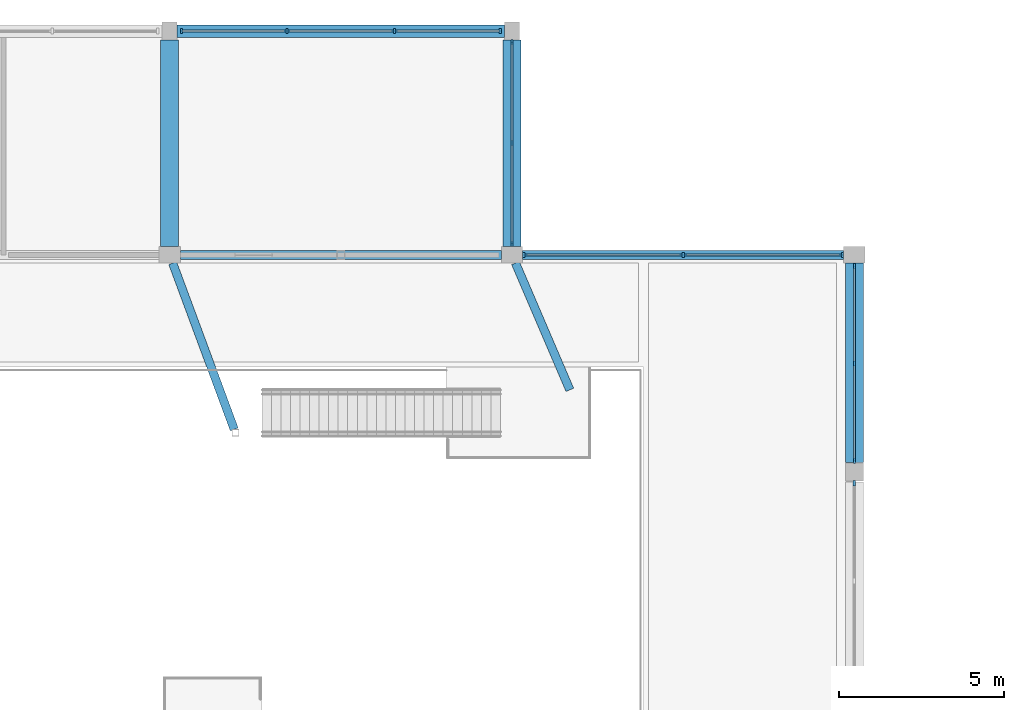
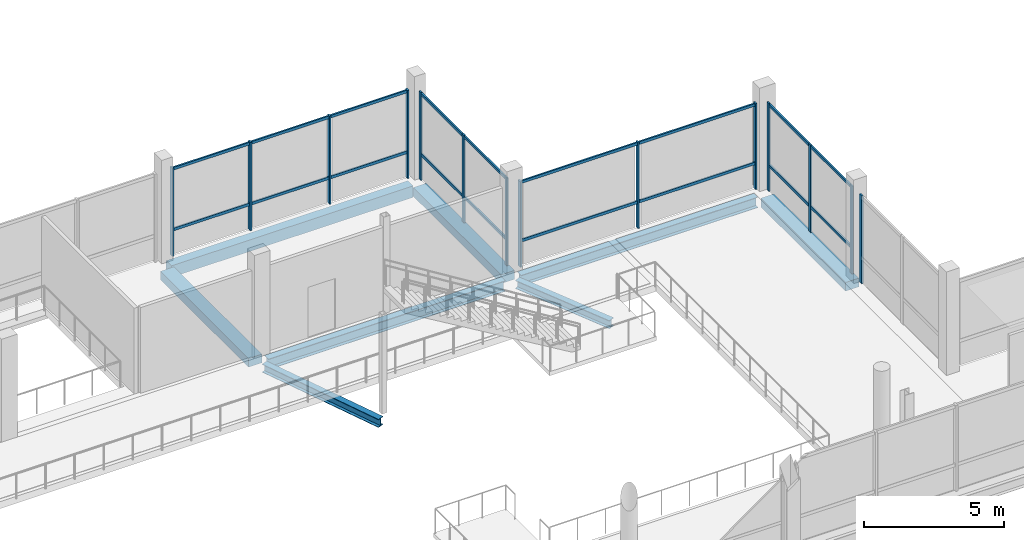
# One storey, part 31 of 95: 22 members, 8 beams, 5 elements without a shape of their own.
"""IFC4 building model written with IfcOpenShell, lengths in metres."""

from ifc_helpers import new_model, si_unit, derived_unit, direction, frame, origin, origin_2d, place, context, subcontext, project, spatial, rectangle, i_section, extrude, material, material_profile, profile_set, type_object, element, aggregate, save


model = new_model("IFC4")

# Units and contexts
model_context = context("Model", 3, precision=1e-05, world=origin(), true_north=direction((0.0, 1.0)))
body_context = subcontext(model_context, "Body", "Model", "MODEL_VIEW")
ifc_project = project(units=[si_unit("LENGTHUNIT", "METRE"), si_unit("AREAUNIT", "SQUARE_METRE"), si_unit("VOLUMEUNIT", "CUBIC_METRE"), si_unit("PLANEANGLEUNIT", "RADIAN"), si_unit("MASSUNIT", "GRAM", prefix="KILO"), derived_unit("THERMALTRANSMITTANCEUNIT", [(si_unit("POWERUNIT", "WATT"), 1), (si_unit("LENGTHUNIT", "METRE"), -2), (si_unit("THERMODYNAMICTEMPERATUREUNIT", "KELVIN"), -1)])], contexts=[model_context])

# Site, building, storey
site_placement = place(None, origin())
site = spatial("IfcSite", under=ifc_project, at=site_placement, CompositionType="ELEMENT")
building_placement = place(site_placement, origin())
building = spatial("IfcBuilding", under=site, at=building_placement, Name="Braskholm Square Health Centre", CompositionType="ELEMENT")
storey_placement = place(building_placement, frame((0.0, 0.0, 4.800048828125)))
storey = spatial("IfcBuildingStorey", under=building, at=storey_placement, Name="L02", CompositionType="ELEMENT", Elevation=4.800048828125)

# Curtain wall, members
ifc_material_1 = material(Name="Low-E triple insulating glass (VLT 0.64)", Category="glass")
curtain_wall_type = type_object("IfcCurtainWallType", Name="UnitisedCurtainWall6200x3800", PredefinedType="NOTDEFINED", material=ifc_material_1)
curtain_wall_1_placement = place(storey_placement, origin())
curtain_wall_1 = element("IfcCurtainWall", 1, at=curtain_wall_1_placement, inside=storey, type_object=curtain_wall_type, Name="Hall North unitised curtain wall CW-L02-0216", PredefinedType="NOTDEFINED")
ifc_material_2 = material(Name="Architectural bronze anodised aluminium", Category="aluminium")
ifc_material_profile_1 = material_profile(ifc_material_2, rectangle(XDim=0.06494140625, YDim=0.14990234375, at=origin_2d()), Name="ALU-65X150")
ifc_profile_set_1 = profile_set([ifc_material_profile_1], Name="Architectural bronze anodised aluminium")
member_type_1 = type_object("IfcMemberType", Name="CurtainWallMullion65x150", PredefinedType="MULLION", material=ifc_profile_set_1)
member_1_placement = place(storey_placement, frame((120.041259765625, 107.0, 0.0), z_axis=(0.0, 0.0, 1.0), x_axis=(1.0, 0.0, 0.0)))
member_1 = element("IfcMember", 2, at=member_1_placement, type_object=member_type_1, Name="CW-L02-0216 vertical mullion 1", PredefinedType="MULLION", context=body_context, shape_type="SweptSolid", body=[
    extrude(rectangle(XDim=0.06494140625, YDim=0.14990234375, at=origin_2d()), origin(), (0.0, 0.0, 1.0), 3.737060546875),
])
member_2_placement = place(storey_placement, frame((115.199951171875, 107.0, 0.0), z_axis=(0.0, 0.0, 1.0), x_axis=(1.0, 0.0, 0.0)))
member_2 = element("IfcMember", 3, at=member_2_placement, type_object=member_type_1, Name="CW-L02-0216 vertical mullion 2", PredefinedType="MULLION", context=body_context, shape_type="SweptSolid", body=[
    extrude(rectangle(XDim=0.06494140625, YDim=0.14990234375, at=origin_2d()), origin(), (0.0, 0.0, 1.0), 3.737060546875),
])
member_3_placement = place(storey_placement, frame((110.35888671875, 107.0, 0.0), z_axis=(0.0, 0.0, 1.0), x_axis=(1.0, 0.0, 0.0)))
member_3 = element("IfcMember", 4, at=member_3_placement, type_object=member_type_1, Name="CW-L02-0216 vertical mullion 3", PredefinedType="MULLION", context=body_context, shape_type="SweptSolid", body=[
    extrude(rectangle(XDim=0.06494140625, YDim=0.14990234375, at=origin_2d()), origin(), (0.0, 0.0, 1.0), 3.737060546875),
])

curtain_wall_2_placement = place(storey_placement, origin())
curtain_wall_2 = element("IfcCurtainWall", 5, at=curtain_wall_2_placement, inside=storey, type_object=curtain_wall_type, Name="Hall Cheek L02 unitised curtain wall CW-L02-0224", PredefinedType="NOTDEFINED")
member_4_placement = place(storey_placement, frame((120.39990234375, 100.736083984375, 0.0), z_axis=(0.0, 0.0, 1.0), x_axis=(1.0, 0.0, 0.0)))
member_4 = element("IfcMember", 6, at=member_4_placement, type_object=member_type_1, Name="CW-L02-0224 vertical mullion 1", PredefinedType="MULLION", context=body_context, shape_type="SweptSolid", body=[
    extrude(rectangle(XDim=0.06494140625, YDim=0.14990234375, at=origin_2d()), origin(), (0.0, 0.0, 1.0), 3.820068359375),
])
member_5_placement = place(storey_placement, frame((120.39990234375, 103.699951171875, 0.0), z_axis=(0.0, 0.0, 1.0), x_axis=(1.0, 0.0, 0.0)))
member_5 = element("IfcMember", 7, at=member_5_placement, type_object=member_type_1, Name="CW-L02-0224 vertical mullion 2", PredefinedType="MULLION", context=body_context, shape_type="SweptSolid", body=[
    extrude(rectangle(XDim=0.06494140625, YDim=0.14990234375, at=origin_2d()), origin(), (0.0, 0.0, 1.0), 3.820068359375),
])
member_6_placement = place(storey_placement, frame((120.39990234375, 106.6640625, 0.0), z_axis=(0.0, 0.0, 1.0), x_axis=(1.0, 0.0, 0.0)))
member_6 = element("IfcMember", 8, at=member_6_placement, type_object=member_type_1, Name="CW-L02-0224 vertical mullion 3", PredefinedType="MULLION", context=body_context, shape_type="SweptSolid", body=[
    extrude(rectangle(XDim=0.06494140625, YDim=0.14990234375, at=origin_2d()), origin(), (0.0, 0.0, 1.0), 3.820068359375),
])

curtain_wall_3_placement = place(storey_placement, origin())
curtain_wall_3 = element("IfcCurtainWall", 9, at=curtain_wall_3_placement, inside=storey, type_object=curtain_wall_type, Name="Hydrotherapy North unitised curtain wall CW-L02-0246", PredefinedType="NOTDEFINED")
member_7_placement = place(storey_placement, frame((109.64111328125, 113.800048828125, 0.0), z_axis=(0.0, 0.0, 1.0), x_axis=(1.0, 0.0, 0.0)))
member_7 = element("IfcMember", 10, at=member_7_placement, type_object=member_type_1, Name="CW-L02-0246 vertical mullion 1", PredefinedType="MULLION", context=body_context, shape_type="SweptSolid", body=[
    extrude(rectangle(XDim=0.06494140625, YDim=0.14990234375, at=origin_2d()), origin(), (0.0, 0.0, 1.0), 3.8369140625),
])
member_8_placement = place(storey_placement, frame((106.433349609375, 113.800048828125, 0.0), z_axis=(0.0, 0.0, 1.0), x_axis=(1.0, 0.0, 0.0)))
member_8 = element("IfcMember", 11, at=member_8_placement, type_object=member_type_1, Name="CW-L02-0246 vertical mullion 2", PredefinedType="MULLION", context=body_context, shape_type="SweptSolid", body=[
    extrude(rectangle(XDim=0.06494140625, YDim=0.14990234375, at=origin_2d()), origin(), (0.0, 0.0, 1.0), 3.8369140625),
])
member_9_placement = place(storey_placement, frame((103.166748046875, 113.800048828125, 0.0), z_axis=(0.0, 0.0, 1.0), x_axis=(1.0, 0.0, 0.0)))
member_9 = element("IfcMember", 12, at=member_9_placement, type_object=member_type_1, Name="CW-L02-0246 vertical mullion 3", PredefinedType="MULLION", context=body_context, shape_type="SweptSolid", body=[
    extrude(rectangle(XDim=0.06494140625, YDim=0.14990234375, at=origin_2d()), origin(), (0.0, 0.0, 1.0), 3.8369140625),
])
member_10_placement = place(storey_placement, frame((99.958740234375, 113.800048828125, 0.0), z_axis=(0.0, 0.0, 1.0), x_axis=(1.0, 0.0, 0.0)))
member_10 = element("IfcMember", 13, at=member_10_placement, type_object=member_type_1, Name="CW-L02-0246 vertical mullion 4", PredefinedType="MULLION", context=body_context, shape_type="SweptSolid", body=[
    extrude(rectangle(XDim=0.06494140625, YDim=0.14990234375, at=origin_2d()), origin(), (0.0, 0.0, 1.0), 3.8369140625),
])

curtain_wall_4_placement = place(storey_placement, origin())
curtain_wall_4 = element("IfcCurtainWall", 14, at=curtain_wall_4_placement, inside=storey, type_object=curtain_wall_type, Name="Hydrotherapy East unitised curtain wall CW-L02-0248", PredefinedType="NOTDEFINED")
member_11_placement = place(storey_placement, frame((110.0, 107.337158203125, 0.0), z_axis=(0.0, 0.0, 1.0), x_axis=(1.0, 0.0, 0.0)))
member_11 = element("IfcMember", 15, at=member_11_placement, type_object=member_type_1, Name="CW-L02-0248 vertical mullion 1", PredefinedType="MULLION", context=body_context, shape_type="SweptSolid", body=[
    extrude(rectangle(XDim=0.06494140625, YDim=0.14990234375, at=origin_2d()), origin(), (0.0, 0.0, 1.0), 3.820068359375),
])
member_12_placement = place(storey_placement, frame((110.0, 110.39990234375, 0.0), z_axis=(0.0, 0.0, 1.0), x_axis=(1.0, 0.0, 0.0)))
member_12 = element("IfcMember", 16, at=member_12_placement, type_object=member_type_1, Name="CW-L02-0248 vertical mullion 2", PredefinedType="MULLION", context=body_context, shape_type="SweptSolid", body=[
    extrude(rectangle(XDim=0.06494140625, YDim=0.14990234375, at=origin_2d()), origin(), (0.0, 0.0, 1.0), 3.820068359375),
])
member_13_placement = place(storey_placement, frame((110.0, 113.462890625, 0.0), z_axis=(0.0, 0.0, 1.0), x_axis=(1.0, 0.0, 0.0)))
member_13 = element("IfcMember", 17, at=member_13_placement, type_object=member_type_1, Name="CW-L02-0248 vertical mullion 3", PredefinedType="MULLION", context=body_context, shape_type="SweptSolid", body=[
    extrude(rectangle(XDim=0.06494140625, YDim=0.14990234375, at=origin_2d()), origin(), (0.0, 0.0, 1.0), 3.820068359375),
])

# Curtain wall, member
curtain_wall_5_placement = place(storey_placement, origin())
curtain_wall_5 = element("IfcCurtainWall", 18, at=curtain_wall_5_placement, inside=storey, type_object=curtain_wall_type, Name="Hall Cheek L02 unitised curtain wall CW-L02-0223", PredefinedType="NOTDEFINED")
ifc_material_profile_2 = material_profile(ifc_material_2, rectangle(XDim=0.074951171875, YDim=0.179931640625, at=origin_2d()), Name="ALU-75X180")
ifc_profile_set_2 = profile_set([ifc_material_profile_2], Name="Architectural bronze anodised aluminium")
member_type_2 = type_object("IfcMemberType", Name="CurtainWallMullion75x180", PredefinedType="MULLION", material=ifc_profile_set_2)
member_14_placement = place(storey_placement, frame((120.39990234375, 100.06396484375, 0.0), z_axis=(0.0, 0.0, 1.0), x_axis=(1.0, 0.0, 0.0)))
member_14 = element("IfcMember", 19, at=member_14_placement, type_object=member_type_2, Name="CW-L02-0223 vertical mullion 3", PredefinedType="MULLION", context=body_context, shape_type="SweptSolid", body=[
    extrude(rectangle(XDim=0.074951171875, YDim=0.179931640625, at=origin_2d()), origin(), (0.0, 0.0, 1.0), 3.820068359375),
])
aggregate(curtain_wall_5, [member_14])

# Member
ifc_material_profile_3 = material_profile(ifc_material_2, rectangle(XDim=0.06494140625, YDim=0.1201171875, at=origin_2d()), Name="ALU-65X120")
ifc_profile_set_3 = profile_set([ifc_material_profile_3], Name="Architectural bronze anodised aluminium")
member_type_3 = type_object("IfcMemberType", Name="CurtainWallTransom65x120", PredefinedType="USERDEFINED", material=ifc_profile_set_3)
member_15_placement = place(storey_placement, frame((120.054931640625, 107.0, 1.119873046875), z_axis=(-1.0, 0.0, 0.0), x_axis=(0.0, -1.0, 0.0)))
member_15 = element("IfcMember", 20, at=member_15_placement, type_object=member_type_3, Name="CW-L02-0216 horizontal transom 1", ObjectType="TRANSOM", PredefinedType="USERDEFINED", context=body_context, shape_type="SweptSolid", body=[
    extrude(rectangle(XDim=0.06494140625, YDim=0.1201171875, at=origin_2d()), origin(), (0.0, 0.0, 1.0), 9.7099609375),
])

member_16_placement = place(storey_placement, frame((120.054931640625, 107.0, 3.6669921875), z_axis=(-1.0, 0.0, 0.0), x_axis=(0.0, -1.0, 0.0)))
member_16 = element("IfcMember", 21, at=member_16_placement, type_object=member_type_3, Name="CW-L02-0216 horizontal transom 2", ObjectType="TRANSOM", PredefinedType="USERDEFINED", context=body_context, shape_type="SweptSolid", body=[
    extrude(rectangle(XDim=0.06494140625, YDim=0.1201171875, at=origin_2d()), origin(), (0.0, 0.0, 1.0), 9.7099609375),
])

aggregate(curtain_wall_1, [member_1, member_2, member_3, member_15, member_16])

member_17_placement = place(storey_placement, frame((120.39990234375, 100.7451171875, 1.119873046875), z_axis=(0.0, 1.0, 0.0), x_axis=(-1.0, 0.0, 0.0)))
member_17 = element("IfcMember", 22, at=member_17_placement, type_object=member_type_3, Name="CW-L02-0224 horizontal transom 1", ObjectType="TRANSOM", PredefinedType="USERDEFINED", context=body_context, shape_type="SweptSolid", body=[
    extrude(rectangle(XDim=0.06494140625, YDim=0.1201171875, at=origin_2d()), origin(), (0.0, 0.0, 1.0), 5.909912109375),
])

member_18_placement = place(storey_placement, frame((120.39990234375, 100.7451171875, 3.75), z_axis=(0.0, 1.0, 0.0), x_axis=(-1.0, 0.0, 0.0)))
member_18 = element("IfcMember", 23, at=member_18_placement, type_object=member_type_3, Name="CW-L02-0224 horizontal transom 2", ObjectType="TRANSOM", PredefinedType="USERDEFINED", context=body_context, shape_type="SweptSolid", body=[
    extrude(rectangle(XDim=0.06494140625, YDim=0.1201171875, at=origin_2d()), origin(), (0.0, 0.0, 1.0), 5.909912109375),
])

aggregate(curtain_wall_2, [member_4, member_5, member_6, member_17, member_18])

member_19_placement = place(storey_placement, frame((109.655029296875, 113.800048828125, 1.119873046875), z_axis=(-1.0, 0.0, 0.0), x_axis=(0.0, -1.0, 0.0)))
member_19 = element("IfcMember", 24, at=member_19_placement, type_object=member_type_3, Name="CW-L02-0246 horizontal transom 1", ObjectType="TRANSOM", PredefinedType="USERDEFINED", context=body_context, shape_type="SweptSolid", body=[
    extrude(rectangle(XDim=0.06494140625, YDim=0.1201171875, at=origin_2d()), origin(), (0.0, 0.0, 1.0), 9.7099609375),
])

member_20_placement = place(storey_placement, frame((109.655029296875, 113.800048828125, 3.766845703125), z_axis=(-1.0, 0.0, 0.0), x_axis=(0.0, -1.0, 0.0)))
member_20 = element("IfcMember", 25, at=member_20_placement, type_object=member_type_3, Name="CW-L02-0246 horizontal transom 2", ObjectType="TRANSOM", PredefinedType="USERDEFINED", context=body_context, shape_type="SweptSolid", body=[
    extrude(rectangle(XDim=0.06494140625, YDim=0.1201171875, at=origin_2d()), origin(), (0.0, 0.0, 1.0), 9.7099609375),
])

aggregate(curtain_wall_3, [member_7, member_8, member_9, member_10, member_19, member_20])

member_21_placement = place(storey_placement, frame((110.0, 107.344970703125, 1.119873046875), z_axis=(0.0, 1.0, 0.0), x_axis=(-1.0, 0.0, 0.0)))
member_21 = element("IfcMember", 26, at=member_21_placement, type_object=member_type_3, Name="CW-L02-0248 horizontal transom 1", ObjectType="TRANSOM", PredefinedType="USERDEFINED", context=body_context, shape_type="SweptSolid", body=[
    extrude(rectangle(XDim=0.06494140625, YDim=0.1201171875, at=origin_2d()), origin(), (0.0, 0.0, 1.0), 6.110107421875),
])

member_22_placement = place(storey_placement, frame((110.0, 107.344970703125, 3.75), z_axis=(0.0, 1.0, 0.0), x_axis=(-1.0, 0.0, 0.0)))
member_22 = element("IfcMember", 27, at=member_22_placement, type_object=member_type_3, Name="CW-L02-0248 horizontal transom 2", ObjectType="TRANSOM", PredefinedType="USERDEFINED", context=body_context, shape_type="SweptSolid", body=[
    extrude(rectangle(XDim=0.06494140625, YDim=0.1201171875, at=origin_2d()), origin(), (0.0, 0.0, 1.0), 6.110107421875),
])

aggregate(curtain_wall_4, [member_11, member_12, member_13, member_21, member_22])

# Beams
ifc_material_3 = material(Name="Concrete C35/45 (f'c = 35 MPa)", Category="concrete")
ifc_material_profile_4 = material_profile(ifc_material_3, rectangle(XDim=0.550048828125, YDim=0.3798828125, at=origin_2d()), Name="RCB-550X380")
ifc_profile_set_4 = profile_set([ifc_material_profile_4], Name="Concrete C35/45 (f'c = 35 MPa)")
beam_type_1 = type_object("IfcBeamType", Name="PrimaryBandBeam550x380", PredefinedType="BEAM", material=ifc_profile_set_4)
for number, where, z_axis, x_axis, name in (
    (28, (99.60009765625, 107.25, -0.489990234375), (0.0, 1.0, 0.0), (-1.0, 0.0, 0.0), "Beam 13/R-S L02"),
    (29, (110.0, 107.25, -0.489990234375), (0.0, 1.0, 0.0), (-1.0, 0.0, 0.0), "Beam 14/R-S L02"),
):
    element("IfcBeam", number, at=place(storey_placement, frame(where, z_axis=z_axis, x_axis=x_axis)), inside=storey, type_object=beam_type_1, Name=name, PredefinedType="BEAM", context=body_context, shape_type="SweptSolid", body=[
        extrude(rectangle(XDim=0.550048828125, YDim=0.3798828125, at=origin_2d()), origin(), (0.0, 0.0, 1.0), 6.27001953125),
    ])
beam_1_placement = place(storey_placement, frame((120.39990234375, 100.699951171875, -0.489990234375), z_axis=(0.0, 1.0, 0.0), x_axis=(-1.0, 0.0, 0.0)))
element("IfcBeam", 30, at=beam_1_placement, inside=storey, type_object=beam_type_1, Name="Beam 15/Q-R L02", PredefinedType="BEAM", context=body_context, shape_type="SweptSolid", body=[
    extrude(rectangle(XDim=0.550048828125, YDim=0.3798828125, at=origin_2d()), origin(), (0.0, 0.0, 1.0), 6.050048828125),
])
ifc_material_4 = material(Name="Precast concrete C40/50 architectural white", Category="concrete")
ifc_material_profile_5 = material_profile(ifc_material_4, rectangle(XDim=0.3798828125, YDim=0.5, at=origin_2d()), Name="RCB-380X500")
ifc_profile_set_5 = profile_set([ifc_material_profile_5], Name="Precast concrete C40/50 architectural white")
beam_type_2 = type_object("IfcBeamType", Name="SpandrelPrecastEdge380x500", PredefinedType="SPANDREL", material=ifc_profile_set_5)
beam_2_placement = place(storey_placement, frame((99.830078125, 113.800048828125, -0.550048828125), z_axis=(1.0, 0.0, 0.0), x_axis=(0.0, 1.0, 0.0)))
element("IfcBeam", 31, at=beam_2_placement, inside=storey, type_object=beam_type_2, Name="Beam 13-14/S L02", PredefinedType="SPANDREL", context=body_context, shape_type="SweptSolid", body=[
    extrude(rectangle(XDim=0.3798828125, YDim=0.5, at=origin_2d()), origin(), (0.0, 0.0, 1.0), 9.93994140625),
])
ifc_material_5 = material(Name="Steel ASTM A992 Grade 50", Category="steel")
ifc_material_profile_6 = material_profile(ifc_material_5, i_section(OverallWidth=0.2548828125, OverallDepth=0.35693359375, WebThickness=0.010498046875, FlangeThickness=0.018310546875, at=origin_2d()), Name="W14X68")
ifc_profile_set_6 = profile_set([ifc_material_profile_6], Name="Steel ASTM A992 Grade 50")
beam_type_3 = type_object("IfcBeamType", Name="SteelBeamCanopyW14X68", PredefinedType="BEAM", material=ifc_profile_set_6)
beam_3_placement = place(storey_placement, frame((111.757080078125, 102.89990234375, -0.478515625), z_axis=(-0.393891173212, 0.919157083237, 0.0), x_axis=(-0.919157083237, -0.393891173212, 0.0)))
element("IfcBeam", 32, at=beam_3_placement, inside=storey, type_object=beam_type_3, Name="Tie beam CS3H L02", PredefinedType="BEAM", context=body_context, shape_type="SweptSolid", body=[
    extrude(i_section(OverallWidth=0.2548828125, OverallDepth=0.35693359375, WebThickness=0.010498046875, FlangeThickness=0.018310546875, at=origin_2d()), origin(), (0.0, 0.0, 1.0), 4.190673828125),
])
beam_4_placement = place(storey_placement, frame((101.56298828125, 101.69970703125, -0.478515625), z_axis=(-0.347296645068, 0.937755320073, 0.0), x_axis=(-0.937755320073, -0.347296645068, 0.0)))
element("IfcBeam", 33, at=beam_4_placement, inside=storey, type_object=beam_type_3, Name="Tie beam CS3K L02", PredefinedType="BEAM", context=body_context, shape_type="SweptSolid", body=[
    extrude(i_section(OverallWidth=0.2548828125, OverallDepth=0.35693359375, WebThickness=0.010498046875, FlangeThickness=0.018310546875, at=origin_2d()), origin(), (0.0, 0.0, 1.0), 5.3876953125),
])
ifc_material_profile_7 = material_profile(ifc_material_5, i_section(OverallWidth=0.280029296875, OverallDepth=0.462890625, WebThickness=0.0107421875, FlangeThickness=0.017333984375, at=origin_2d()), Name="W18X76")
ifc_profile_set_7 = profile_set([ifc_material_profile_7], Name="Steel ASTM A992 Grade 50")
beam_type_4 = type_object("IfcBeamType", Name="SteelGirderGalleryW18X76", PredefinedType="BEAM", material=ifc_profile_set_7)
for number, where, z_axis, x_axis, name in (
    (34, (99.925048828125, 107.0, -0.531494140625), (1.0, 0.0, 0.0), (0.0, 1.0, 0.0), "Beam 13-14/R L02"),
    (35, (110.324951171875, 107.0, -0.531494140625), (1.0, 0.0, 0.0), (0.0, 1.0, 0.0), "Beam 14-15/R L02"),
):
    element("IfcBeam", number, at=place(storey_placement, frame(where, z_axis=z_axis, x_axis=x_axis)), inside=storey, type_object=beam_type_4, Name=name, PredefinedType="BEAM", context=body_context, shape_type="SweptSolid", body=[
        extrude(i_section(OverallWidth=0.280029296875, OverallDepth=0.462890625, WebThickness=0.0107421875, FlangeThickness=0.017333984375, at=origin_2d()), origin(), (0.0, 0.0, 1.0), 9.75),
    ])

save(model, "model.ifc")
